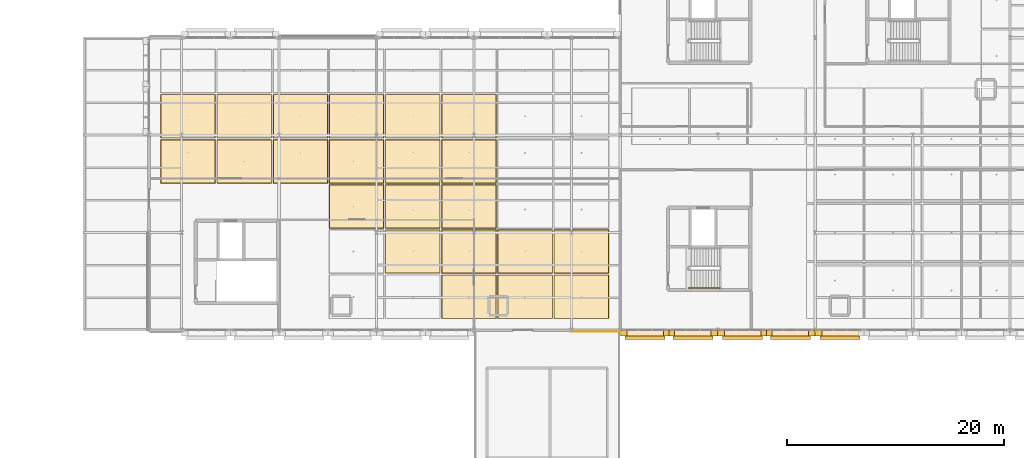
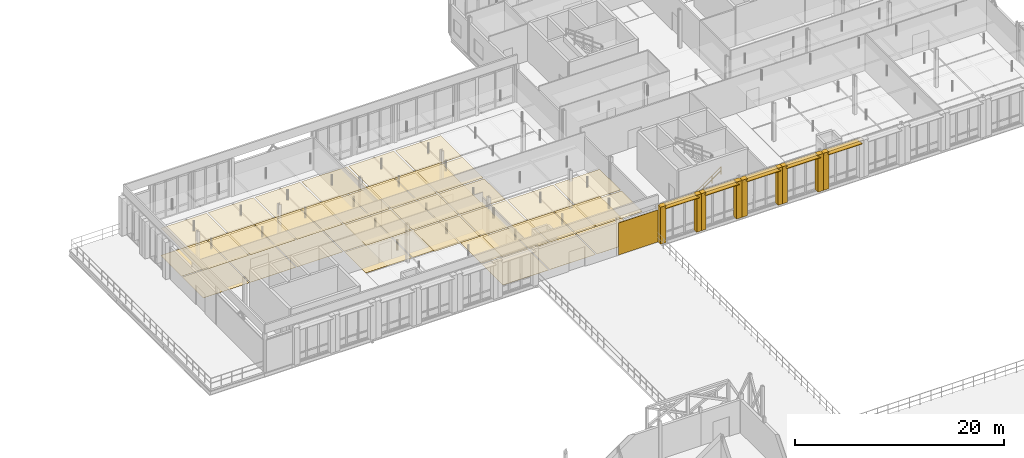
# One storey, part 84 of 89: 58 coverings, 5 shading devices, 1 railing.
"""IFC4 building model written with IfcOpenShell, lengths in metres."""

from ifc_helpers import new_model, si_unit, direction, frame, origin, origin_2d, place, context, subcontext, project, spatial, rectangle, circle, extrude, material, layer, layer_set, type_object, element, save


model = new_model("IFC4")

# Units and contexts
model_context = context("Model", 3, precision=1e-05, world=origin(), true_north=direction((0.0, 1.0)))
body_context = subcontext(model_context, "Body", "Model", "MODEL_VIEW")
ifc_project = project(units=[si_unit("LENGTHUNIT", "METRE"), si_unit("AREAUNIT", "SQUARE_METRE"), si_unit("VOLUMEUNIT", "CUBIC_METRE"), si_unit("PLANEANGLEUNIT", "RADIAN"), si_unit("MASSUNIT", "GRAM", prefix="KILO"), si_unit("THERMODYNAMICTEMPERATUREUNIT", "KELVIN"), si_unit("POWERUNIT", "WATT")], contexts=[model_context])

# Site, building, storey
site_placement = place(None, origin())
site = spatial("IfcSite", under=ifc_project, at=site_placement, CompositionType="ELEMENT")
building_placement = place(site_placement, origin())
building = spatial("IfcBuilding", under=site, at=building_placement, Name="Tallowbark Science Centre", CompositionType="ELEMENT")
storey_placement = place(building_placement, frame((0.0, 0.0, 14.39990234375)))
storey = spatial("IfcBuildingStorey", under=building, at=storey_placement, Name="L03", CompositionType="ELEMENT", Elevation=14.39990234375)

# Coverings
ifc_material_1 = material(Name="Cleanable Vinyl-Faced Laboratory Ceiling Tile")
ifc_layer_1 = layer(ifc_material_1, 0.01611328125)
ifc_layer_set_1 = layer_set([ifc_layer_1], Name="Cleanable Vinyl-Faced Laboratory Ceiling Tile")
covering_type_1 = type_object("IfcCoveringType", Name="CLG-LAB-16", PredefinedType="CEILING", material=ifc_layer_set_1)
for number, where, z_axis, x_axis, name in (
    (1, (72.59375, 87.583251953125, 3.192138671875), (0.0, 0.0, 1.0), (1.0, 0.0, 0.0), "Suspended Ceiling L03-994"),
    (2, (72.59375, 91.75, 3.192138671875), (0.0, 0.0, 1.0), (1.0, 0.0, 0.0), "Suspended Ceiling L03-995"),
    (3, (77.78125, 87.583251953125, 3.192138671875), (0.0, 0.0, 1.0), (1.0, 0.0, 0.0), "Suspended Ceiling L03-997"),
    (4, (77.78125, 91.75, 3.192138671875), (0.0, 0.0, 1.0), (1.0, 0.0, 0.0), "Suspended Ceiling L03-998"),
    (5, (82.96875, 87.583251953125, 3.192138671875), (0.0, 0.0, 1.0), (1.0, 0.0, 0.0), "Suspended Ceiling L03-1000"),
    (6, (82.96875, 91.75, 3.192138671875), (0.0, 0.0, 1.0), (1.0, 0.0, 0.0), "Suspended Ceiling L03-1001"),
    (7, (88.15625, 83.416748046875, 3.192138671875), (0.0, 0.0, 1.0), (1.0, 0.0, 0.0), "Suspended Ceiling L03-1005"),
    (8, (88.15625, 87.583251953125, 3.192138671875), (0.0, 0.0, 1.0), (1.0, 0.0, 0.0), "Suspended Ceiling L03-1006"),
    (9, (88.15625, 91.75, 3.192138671875), (0.0, 0.0, 1.0), (1.0, 0.0, 0.0), "Suspended Ceiling L03-1007"),
    (10, (93.34375, 79.25, 3.192138671875), (0.0, 0.0, 1.0), (1.0, 0.0, 0.0), "Suspended Ceiling L03-1010"),
    (11, (93.34375, 83.416748046875, 3.192138671875), (0.0, 0.0, 1.0), (1.0, 0.0, 0.0), "Suspended Ceiling L03-1011"),
    (12, (93.34375, 87.583251953125, 3.192138671875), (0.0, 0.0, 1.0), (1.0, 0.0, 0.0), "Suspended Ceiling L03-1012"),
    (13, (93.34375, 91.75, 3.192138671875), (0.0, 0.0, 1.0), (1.0, 0.0, 0.0), "Suspended Ceiling L03-1013"),
    (14, (98.53125, 75.083251953125, 3.192138671875), (0.0, 0.0, 1.0), (1.0, 0.0, 0.0), "Suspended Ceiling L03-1015"),
    (15, (98.53125, 79.25, 3.192138671875), (0.0, 0.0, 1.0), (1.0, 0.0, 0.0), "Suspended Ceiling L03-1016"),
    (16, (98.53125, 83.416748046875, 3.192138671875), (0.0, 0.0, 1.0), (1.0, 0.0, 0.0), "Suspended Ceiling L03-1017"),
    (17, (98.53125, 87.583251953125, 3.192138671875), (0.0, 0.0, 1.0), (1.0, 0.0, 0.0), "Suspended Ceiling L03-1018"),
    (18, (98.53125, 91.75, 3.192138671875), (0.0, 0.0, 1.0), (1.0, 0.0, 0.0), "Suspended Ceiling L03-1019"),
    (19, (103.71875, 75.083251953125, 3.192138671875), (0.0, 0.0, 1.0), (1.0, 0.0, 0.0), "Suspended Ceiling L03-1021"),
    (20, (103.71875, 79.25, 3.192138671875), (0.0, 0.0, 1.0), (1.0, 0.0, 0.0), "Suspended Ceiling L03-1022"),
    (21, (108.90625, 75.083251953125, 3.192138671875), (0.0, 0.0, 1.0), (1.0, 0.0, 0.0), "Suspended Ceiling L03-1027"),
    (22, (108.90625, 79.25, 3.192138671875), (0.0, 0.0, 1.0), (1.0, 0.0, 0.0), "Suspended Ceiling L03-1028"),
):
    element("IfcCovering", number, at=place(storey_placement, frame(where, z_axis=z_axis, x_axis=x_axis)), inside=storey, type_object=covering_type_1, Name=name, PredefinedType="CEILING", context=body_context, shape_type="SweptSolid", body=[
        extrude(rectangle(XDim=5.007568359375, YDim=3.98681640625, at=origin_2d()), origin(), (0.0, 0.0, 1.0), 0.01611328125),
    ])
ifc_material_2 = material(Name="White Architectural Precast Concrete Grade N40 (40 MPa)", Category="concrete")
ifc_layer_2 = layer(ifc_material_2, 0.1201171875)
ifc_layer_set_2 = layer_set([ifc_layer_2], Name="White Architectural Precast Concrete Grade N40 (40 MPa)")
covering_type_2 = type_object("IfcCoveringType", Name="COV-PRC-CLAD", PredefinedType="CLADDING", material=ifc_layer_set_2)
covering_1_placement = place(storey_placement, frame((112.804931640625, 71.719970703125, 0.0), z_axis=(0.0, 0.0, 1.0), x_axis=(1.0, 0.0, 0.0)))
element("IfcCovering", 23, at=covering_1_placement, inside=storey, type_object=covering_type_2, Name="Postmodern Deep Precast Pier CW-L03-164-1", PredefinedType="CLADDING", context=body_context, shape_type="SweptSolid", body=[
    extrude(rectangle(XDim=0.610107421875, YDim=0.56005859375, at=origin_2d()), origin(), (0.0, 0.0, 1.0), 4.320068359375),
])
for number, where, z_axis, x_axis, name in (
    (24, (116.7451171875, 71.719970703125, 0.0), (0.0, 0.0, 1.0), (1.0, 0.0, 0.0), "Postmodern Deep Precast Pier CW-L03-164-2"),
    (25, (117.2548828125, 71.719970703125, 0.0), (0.0, 0.0, 1.0), (1.0, 0.0, 0.0), "Postmodern Deep Precast Pier CW-L03-165-1"),
):
    element("IfcCovering", number, at=place(storey_placement, frame(where, z_axis=z_axis, x_axis=x_axis)), inside=storey, type_object=covering_type_2, Name=name, PredefinedType="CLADDING", context=body_context, shape_type="SweptSolid", body=[
        extrude(rectangle(XDim=0.510009765625, YDim=0.56005859375, at=origin_2d()), origin(), (0.0, 0.0, 1.0), 4.320068359375),
    ])
for number, where, z_axis, x_axis, name in (
    (26, (121.195068359375, 71.719970703125, 0.0), (0.0, 0.0, 1.0), (1.0, 0.0, 0.0), "Postmodern Deep Precast Pier CW-L03-165-2"),
    (27, (121.804931640625, 71.719970703125, 0.0), (0.0, 0.0, 1.0), (1.0, 0.0, 0.0), "Postmodern Deep Precast Pier CW-L03-168-1"),
):
    element("IfcCovering", number, at=place(storey_placement, frame(where, z_axis=z_axis, x_axis=x_axis)), inside=storey, type_object=covering_type_2, Name=name, PredefinedType="CLADDING", context=body_context, shape_type="SweptSolid", body=[
        extrude(rectangle(XDim=0.610107421875, YDim=0.56005859375, at=origin_2d()), origin(), (0.0, 0.0, 1.0), 4.320068359375),
    ])
for number, where, z_axis, x_axis, name in (
    (28, (125.7451171875, 71.719970703125, 0.0), (0.0, 0.0, 1.0), (1.0, 0.0, 0.0), "Postmodern Deep Precast Pier CW-L03-168-2"),
    (29, (126.2548828125, 71.719970703125, 0.0), (0.0, 0.0, 1.0), (1.0, 0.0, 0.0), "Postmodern Deep Precast Pier CW-L03-169-1"),
):
    element("IfcCovering", number, at=place(storey_placement, frame(where, z_axis=z_axis, x_axis=x_axis)), inside=storey, type_object=covering_type_2, Name=name, PredefinedType="CLADDING", context=body_context, shape_type="SweptSolid", body=[
        extrude(rectangle(XDim=0.510009765625, YDim=0.56005859375, at=origin_2d()), origin(), (0.0, 0.0, 1.0), 4.320068359375),
    ])
for number, where, z_axis, x_axis, name in (
    (30, (130.195068359375, 71.719970703125, 0.0), (0.0, 0.0, 1.0), (1.0, 0.0, 0.0), "Postmodern Deep Precast Pier CW-L03-169-2"),
    (31, (130.804931640625, 71.719970703125, 0.0), (0.0, 0.0, 1.0), (1.0, 0.0, 0.0), "Postmodern Deep Precast Pier CW-L03-172-1"),
):
    element("IfcCovering", number, at=place(storey_placement, frame(where, z_axis=z_axis, x_axis=x_axis)), inside=storey, type_object=covering_type_2, Name=name, PredefinedType="CLADDING", context=body_context, shape_type="SweptSolid", body=[
        extrude(rectangle(XDim=0.610107421875, YDim=0.56005859375, at=origin_2d()), origin(), (0.0, 0.0, 1.0), 4.320068359375),
    ])
ifc_material_3 = material(Name="Vitrified Ochre Terracotta Architectural Rainscreen", Category="masonry")
ifc_layer_3 = layer(ifc_material_3, 0.0380859375)
ifc_layer_set_3 = layer_set([ifc_layer_3], Name="Vitrified Ochre Terracotta Architectural Rainscreen")
covering_type_3 = type_object("IfcCoveringType", Name="COV-TER-CLAD", PredefinedType="CLADDING", material=ifc_layer_set_3)
covering_2_placement = place(storey_placement, frame((110.25, 71.85595703125, 0.050048828125), z_axis=(0.0, 0.0, 1.0), x_axis=(1.0, 0.0, 0.0)))
element("IfcCovering", 32, at=covering_2_placement, inside=storey, type_object=covering_type_3, Name="Architectural Rainscreen LAB-S-L03-108", PredefinedType="CLADDING", context=body_context, shape_type="SweptSolid", body=[
    extrude(rectangle(XDim=4.3798828125, YDim=0.0380859375, at=origin_2d()), origin(), (0.0, 0.0, 1.0), 3.74609375),
])
for number, where, z_axis, x_axis, name in (
    (33, (114.800048828125, 71.739990234375, 3.97021484375), (0.0, 0.0, 1.0), (1.0, 0.0, 0.0), "Postmodern Terracotta Cornice Band CW-L03-164"),
    (34, (119.199951171875, 71.739990234375, 3.97021484375), (0.0, 0.0, 1.0), (1.0, 0.0, 0.0), "Postmodern Terracotta Cornice Band CW-L03-165"),
    (35, (123.800048828125, 71.739990234375, 3.97021484375), (0.0, 0.0, 1.0), (1.0, 0.0, 0.0), "Postmodern Terracotta Cornice Band CW-L03-168"),
    (36, (128.199951171875, 71.739990234375, 3.97021484375), (0.0, 0.0, 1.0), (1.0, 0.0, 0.0), "Postmodern Terracotta Cornice Band CW-L03-169"),
    (37, (132.800048828125, 71.739990234375, 3.97021484375), (0.0, 0.0, 1.0), (1.0, 0.0, 0.0), "Postmodern Terracotta Cornice Band CW-L03-172"),
):
    element("IfcCovering", number, at=place(storey_placement, frame(where, z_axis=z_axis, x_axis=x_axis)), inside=storey, type_object=covering_type_3, Name=name, PredefinedType="CLADDING", context=body_context, shape_type="SweptSolid", body=[
        extrude(rectangle(XDim=4.300048828125, YDim=0.52001953125, at=origin_2d()), origin(), (0.0, 0.0, 1.0), 0.340087890625),
    ])
ifc_material_4 = material(Name="Chemical-Resistant Seamless Laboratory Vinyl")
ifc_layer_4 = layer(ifc_material_4, 0.011962890625)
ifc_layer_set_4 = layer_set([ifc_layer_4], Name="Chemical-Resistant Seamless Laboratory Vinyl")
covering_type_4 = type_object("IfcCoveringType", Name="FLR-VIN-12", PredefinedType="FLOORING", material=ifc_layer_set_4)
for number, where, z_axis, x_axis, name in (
    (38, (72.59375, 87.583251953125, 0.0), (0.0, 0.0, 1.0), (1.0, 0.0, 0.0), "Floor Finish L03-994"),
    (39, (72.59375, 91.75, 0.0), (0.0, 0.0, 1.0), (1.0, 0.0, 0.0), "Floor Finish L03-995"),
    (40, (77.78125, 87.583251953125, 0.0), (0.0, 0.0, 1.0), (1.0, 0.0, 0.0), "Floor Finish L03-997"),
    (41, (77.78125, 91.75, 0.0), (0.0, 0.0, 1.0), (1.0, 0.0, 0.0), "Floor Finish L03-998"),
    (42, (82.96875, 87.583251953125, 0.0), (0.0, 0.0, 1.0), (1.0, 0.0, 0.0), "Floor Finish L03-1000"),
    (43, (82.96875, 91.75, 0.0), (0.0, 0.0, 1.0), (1.0, 0.0, 0.0), "Floor Finish L03-1001"),
    (44, (88.15625, 83.416748046875, 0.0), (0.0, 0.0, 1.0), (1.0, 0.0, 0.0), "Floor Finish L03-1005"),
    (45, (88.15625, 87.583251953125, 0.0), (0.0, 0.0, 1.0), (1.0, 0.0, 0.0), "Floor Finish L03-1006"),
    (46, (88.15625, 91.75, 0.0), (0.0, 0.0, 1.0), (1.0, 0.0, 0.0), "Floor Finish L03-1007"),
    (47, (93.34375, 83.416748046875, 0.0), (0.0, 0.0, 1.0), (1.0, 0.0, 0.0), "Floor Finish L03-1011"),
    (48, (93.34375, 87.583251953125, 0.0), (0.0, 0.0, 1.0), (1.0, 0.0, 0.0), "Floor Finish L03-1012"),
    (49, (93.34375, 91.75, 0.0), (0.0, 0.0, 1.0), (1.0, 0.0, 0.0), "Floor Finish L03-1013"),
    (50, (98.53125, 75.083251953125, 0.0), (0.0, 0.0, 1.0), (1.0, 0.0, 0.0), "Floor Finish L03-1015"),
    (51, (98.53125, 79.25, 0.0), (0.0, 0.0, 1.0), (1.0, 0.0, 0.0), "Floor Finish L03-1016"),
    (52, (98.53125, 83.416748046875, 0.0), (0.0, 0.0, 1.0), (1.0, 0.0, 0.0), "Floor Finish L03-1017"),
    (53, (98.53125, 87.583251953125, 0.0), (0.0, 0.0, 1.0), (1.0, 0.0, 0.0), "Floor Finish L03-1018"),
    (54, (98.53125, 91.75, 0.0), (0.0, 0.0, 1.0), (1.0, 0.0, 0.0), "Floor Finish L03-1019"),
    (55, (103.71875, 75.083251953125, 0.0), (0.0, 0.0, 1.0), (1.0, 0.0, 0.0), "Floor Finish L03-1021"),
    (56, (103.71875, 79.25, 0.0), (0.0, 0.0, 1.0), (1.0, 0.0, 0.0), "Floor Finish L03-1022"),
    (57, (108.90625, 75.083251953125, 0.0), (0.0, 0.0, 1.0), (1.0, 0.0, 0.0), "Floor Finish L03-1027"),
    (58, (108.90625, 79.25, 0.0), (0.0, 0.0, 1.0), (1.0, 0.0, 0.0), "Floor Finish L03-1028"),
):
    element("IfcCovering", number, at=place(storey_placement, frame(where, z_axis=z_axis, x_axis=x_axis)), inside=storey, type_object=covering_type_4, Name=name, PredefinedType="FLOORING", context=body_context, shape_type="SweptSolid", body=[
        extrude(rectangle(XDim=5.0673828125, YDim=4.046630859375, at=origin_2d()), origin(), (0.0, 0.0, 1.0), 0.011962890625),
    ])

# Railing
ifc_material_5 = material(Name="Brushed Grade 316 Stainless Steel Handrail", Category="steel")
ifc_layer_5 = layer(ifc_material_5, 0.050048828125)
ifc_layer_set_5 = layer_set([ifc_layer_5], Name="Brushed Grade 316 Stainless Steel Handrail")
railing_type = type_object("IfcRailingType", Name="RLG-HDR-950", PredefinedType="HANDRAIL", material=ifc_layer_set_5)
railing_placement = place(storey_placement, frame((118.81005859375, 75.89990234375, 0.1875)))
element("IfcRailing", 59, at=railing_placement, inside=storey, type_object=railing_type, Name="L03 ST-02 stair handrail 1", PredefinedType="HANDRAIL", context=body_context, shape_type="SweptSolid", body=[
    extrude(circle(Radius=0.02392578125, at=origin_2d()), frame((0.0, 0.0, 0.8759765625), z_axis=(0.816330724661, 0.0, 0.577584753931), x_axis=(0.0, 1.0, 0.0)), (0.0, 0.0, 1.0), 3.57080078125),
    extrude(circle(Radius=0.02392578125, at=origin_2d()), frame((0.0, 0.0, 0.449951171875), z_axis=(0.816330724661, 0.0, 0.577584753931), x_axis=(0.0, 1.0, 0.0)), (0.0, 0.0, 1.0), 3.57080078125),
    extrude(circle(Radius=0.02099609375, at=origin_2d()), origin(), (0.0, 0.0, 1.0), 0.851806640625),
    extrude(circle(Radius=0.02099609375, at=origin_2d()), frame((0.9716796875, 0.0, 0.6875)), (0.0, 0.0, 1.0), 0.851806640625),
    extrude(circle(Radius=0.02099609375, at=origin_2d()), frame((1.943359375, 0.0, 1.375)), (0.0, 0.0, 1.0), 0.851806640625),
    extrude(circle(Radius=0.02099609375, at=origin_2d()), frame((2.9150390625, 0.0, 2.0625)), (0.0, 0.0, 1.0), 0.851806640625),
])

# Shading devices
ifc_material_6 = material(Name="Terracotta-Anodised Extruded Aluminium Sunshade Blade", Category="masonry")
ifc_layer_6 = layer(ifc_material_6, 0.054931640625)
ifc_layer_set_6 = layer_set([ifc_layer_6], Name="Terracotta-Anodised Extruded Aluminium Sunshade Blade")
shading_device_type = type_object("IfcShadingDeviceType", Name="SHD-LVR-300", PredefinedType="AWNING", material=ifc_layer_set_6)
for number, where, z_axis, x_axis, name in (
    (60, (114.800048828125, 71.580078125, 4.1328125), (0.0, 0.0, 1.0), (1.0, 0.0, 0.0), "Horizontal Solar Louvre Hood CW-L03-164"),
    (61, (119.199951171875, 71.580078125, 4.1328125), (0.0, 0.0, 1.0), (1.0, 0.0, 0.0), "Horizontal Solar Louvre Hood CW-L03-165"),
    (62, (123.800048828125, 71.580078125, 4.1328125), (0.0, 0.0, 1.0), (1.0, 0.0, 0.0), "Horizontal Solar Louvre Hood CW-L03-168"),
    (63, (128.199951171875, 71.580078125, 4.1328125), (0.0, 0.0, 1.0), (1.0, 0.0, 0.0), "Horizontal Solar Louvre Hood CW-L03-169"),
    (64, (132.800048828125, 71.580078125, 4.1328125), (0.0, 0.0, 1.0), (1.0, 0.0, 0.0), "Horizontal Solar Louvre Hood CW-L03-172"),
):
    element("IfcShadingDevice", number, at=place(storey_placement, frame(where, z_axis=z_axis, x_axis=x_axis)), inside=storey, type_object=shading_device_type, Name=name, PredefinedType="AWNING", context=body_context, shape_type="SweptSolid", body=[
        extrude(rectangle(XDim=3.699951171875, YDim=0.840087890625, at=origin_2d()), origin(), (0.0, 0.0, 1.0), 0.054931640625),
    ])

save(model, "model.ifc")
